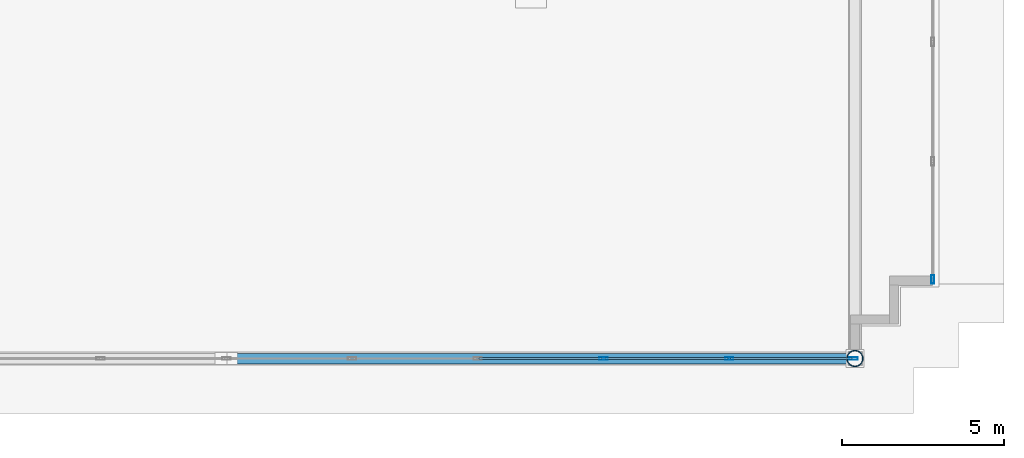
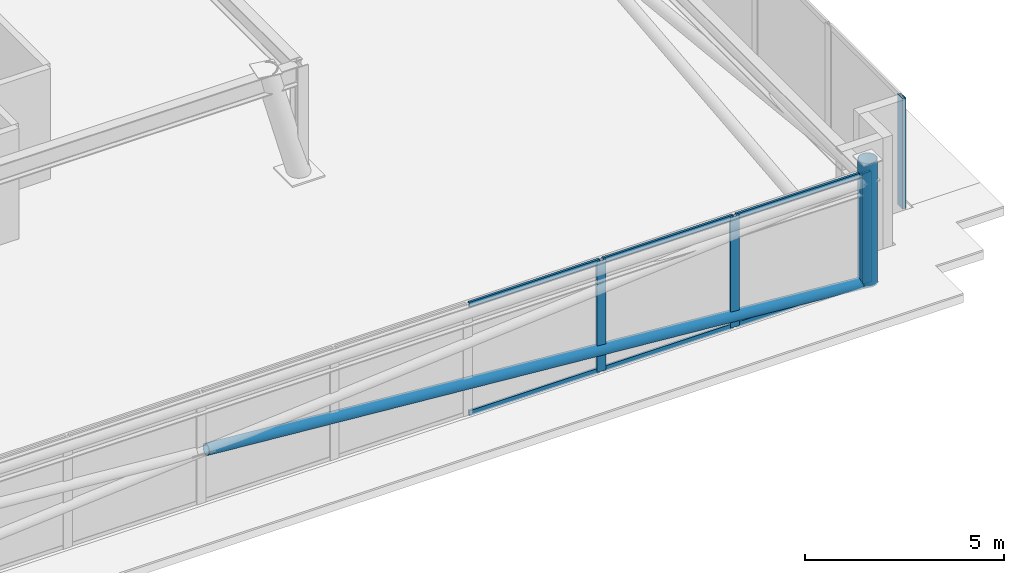
# One storey, part 14 of 23: 12 members, 2 elements without a shape of their own.
"""IFC4 building model written with IfcOpenShell, lengths in metres."""

import ifcopenshell
import ifcopenshell.guid

model = None  # the IFC model being written
_history = None  # IfcOwnerHistory: only IFC2X3 demands one
_inside = {}  # id of a spatial element -> (the spatial element, [elements in it])
_under = {}  # id of a project, library or spatial element -> (it, [spatial elements below it])
_declared = {}  # id of a project -> (the project, [libraries it declares])
_typed = {}  # id of a type object -> (the type object, [elements of that type])
_made_of = {}  # id of a material, layer set ... -> (it, [elements and type objects made of it])


def new_model(schema):
    """Start an empty IFC model of exactly this schema.

    Asked for "IFC4X3", IfcOpenShell would pick the latest addendum, in which some entities
    have other attributes; the version numbers below select the first issue.
    IFC2X3 requires an IfcOwnerHistory on every rooted entity: one is made here for all.
    """
    global model, _history
    if schema == "IFC4X3":
        model = ifcopenshell.file(schema_version=(4, 3, 0, 0))
    else:
        model = ifcopenshell.file(schema=schema)
    _inside.clear()
    _under.clear()
    _declared.clear()
    _typed.clear()
    _made_of.clear()
    _history = None
    if model.schema == "IFC2X3":
        org = make("IfcOrganization", Name="unknown")
        user = make(
            "IfcPersonAndOrganization",
            ThePerson=make("IfcPerson", FamilyName="unknown"),
            TheOrganization=org,
        )
        app = make(
            "IfcApplication",
            ApplicationDeveloper=org,
            Version="unknown",
            ApplicationFullName="unknown",
            ApplicationIdentifier="unknown",
        )
        _history = make(
            "IfcOwnerHistory",
            OwningUser=user,
            OwningApplication=app,
            ChangeAction="ADDED",
            CreationDate=0,
        )
    return model


def make(cls, **values):
    """One entity of the class cls with the attributes given. An attribute that is None is left unset."""
    return model.create_entity(
        cls, **{name: value for name, value in values.items() if value is not None}
    )


def rooted(cls, **values):
    """An entity with a GlobalId (a new one), such as an element, a storey or a relation."""
    return make(cls, GlobalId=ifcopenshell.guid.new(), OwnerHistory=_history, **values)


def si_unit(unit_type, name, prefix=None):
    """IfcSIUnit, for example si_unit("LENGTHUNIT", "METRE", prefix="MILLI")."""
    return make("IfcSIUnit", UnitType=unit_type, Prefix=prefix, Name=name)


def assignment(units):
    """IfcUnitAssignment: the units of a project."""
    return None if units is None else make("IfcUnitAssignment", Units=units)


def point(xyz):
    """IfcCartesianPoint."""
    return None if xyz is None else make("IfcCartesianPoint", Coordinates=xyz)


def direction(xyz):
    """IfcDirection."""
    return None if xyz is None else make("IfcDirection", DirectionRatios=xyz)


def frame(location, z_axis=None, x_axis=None):
    """IfcAxis2Placement3D, a coordinate frame: its origin and axes. An axis left out is left unset."""
    return make(
        "IfcAxis2Placement3D",
        Location=point(location),
        Axis=direction(z_axis),
        RefDirection=direction(x_axis),
    )


def frame_2d(location, x_axis=None):
    """IfcAxis2Placement2D, a coordinate frame in the plane: its origin and x axis."""
    return make(
        "IfcAxis2Placement2D", Location=point(location), RefDirection=direction(x_axis)
    )


def origin():
    """The frame at (0, 0, 0) with its axes left unset."""
    return frame((0.0, 0.0, 0.0))


def origin_2d():
    """The frame at (0, 0) in the plane with its x axis left unset."""
    return frame_2d((0.0, 0.0))


def place(relative_to, where):
    """IfcLocalPlacement: puts the frame where relative to a parent placement (None: the world)."""
    return make(
        "IfcLocalPlacement", PlacementRelTo=relative_to, RelativePlacement=where
    )


def context(
    kind, dimensions, precision=None, world=None, true_north=None, identifier=None
):
    """IfcGeometricRepresentationContext, for example the 3D "Model" context."""
    return make(
        "IfcGeometricRepresentationContext",
        ContextIdentifier=identifier,
        ContextType=kind,
        CoordinateSpaceDimension=dimensions,
        Precision=precision,
        WorldCoordinateSystem=world,
        TrueNorth=true_north,
    )


def subcontext(parent, identifier, kind, view, scale=None):
    """IfcGeometricRepresentationSubContext, for example "Body" below "Model"."""
    return make(
        "IfcGeometricRepresentationSubContext",
        ContextIdentifier=identifier,
        ContextType=kind,
        ParentContext=parent,
        TargetScale=scale,
        TargetView=view,
    )


def project(units=None, contexts=None):
    """IfcProject with its units and contexts."""
    return rooted(
        "IfcProject",
        Name="project",
        RepresentationContexts=contexts,
        UnitsInContext=assignment(units),
    )


def spatial(cls, under=None, at=None, **own):
    """A site, building, storey or space (cls), placed at a placement, below another one or the project."""
    s = rooted(cls, ObjectPlacement=at, **own)
    if under is not None:
        _under.setdefault(under.id(), (under, []))[1].append(s)
    return s


def profile(cls, at=None, kind="AREA", **sizes):
    """A parametric profile (cls). Its sizes go by their IFC names, for example OverallWidth=200.0."""
    return make(cls, ProfileType=kind, Position=at, **sizes)


def hollow_rectangle(**sizes):
    """IfcRectangleHollowProfileDef."""
    return profile("IfcRectangleHollowProfileDef", **sizes)


def hollow_circle(**sizes):
    """IfcCircleHollowProfileDef."""
    return profile("IfcCircleHollowProfileDef", **sizes)


def extrude(swept, where, along, depth):
    """IfcExtrudedAreaSolid: the profile swept, set in the frame where, extruded along a direction by depth."""
    return make(
        "IfcExtrudedAreaSolid",
        SweptArea=swept,
        Position=where,
        ExtrudedDirection=direction(along),
        Depth=depth,
    )


def shape(context_of_items, identifier, shape_type, items):
    """IfcShapeRepresentation: the items that make up one representation, for example the "Body"."""
    return make(
        "IfcShapeRepresentation",
        ContextOfItems=context_of_items,
        RepresentationIdentifier=identifier,
        RepresentationType=shape_type,
        Items=items,
    )


def material(Name=None, Category=None):
    """IfcMaterial."""
    return make("IfcMaterial", Name=Name, Category=Category)


def layer(
    of_material, thickness, ventilated=None, Name=None, Category=None, Priority=None
):
    """IfcMaterialLayer: one layer of a wall or slab, of a material (None: an air gap)."""
    return make(
        "IfcMaterialLayer",
        Material=of_material,
        LayerThickness=thickness,
        IsVentilated=ventilated,
        Name=Name,
        Category=Category,
        Priority=Priority,
    )


def layer_set(layers, Name=None):
    """IfcMaterialLayerSet."""
    return make("IfcMaterialLayerSet", MaterialLayers=layers, LayerSetName=Name)


def material_profile(
    of_material, cross_section, Name=None, Category=None, Priority=None
):
    """IfcMaterialProfile: a cross section and its material."""
    return make(
        "IfcMaterialProfile",
        Name=Name,
        Material=of_material,
        Profile=cross_section,
        Priority=Priority,
        Category=Category,
    )


def profile_set(profiles, Name=None, composite=None):
    """IfcMaterialProfileSet."""
    return make(
        "IfcMaterialProfileSet",
        Name=Name,
        MaterialProfiles=profiles,
        CompositeProfile=composite,
    )


def made_of(thing, what):
    """Note that an element or type object is made of a material, layer set ...; save() writes the relation."""
    if what is not None:
        _made_of.setdefault(what.id(), (what, []))[1].append(thing)
    return thing


def type_object(cls, material=None, **own):
    """A type object (cls), such as IfcWallType, which elements share."""
    return made_of(rooted(cls, **own), material)


def element(
    cls,
    number,
    at=None,
    inside=None,
    cuts=None,
    type_object=None,
    material=None,
    context=None,
    identifier="Body",
    shape_type=None,
    held_by="IfcProductDefinitionShape",
    body=None,
    shapes=None,
    **own,
):
    """One element of the class cls, such as IfcWall. Its Tag is "e" and its number.

    at: its placement. inside: the storey or other place that contains it. cuts: it is an
    opening in that element (IfcRelVoidsElement). A single representation is given by context,
    identifier, shape_type and body (its items); several are given by shapes. held_by: the class
    of the entity that holds the representations. save() writes the other relations.
    """
    e = rooted(cls, Tag="e%d" % number, ObjectPlacement=at, **own)
    if body is not None:
        shapes = [shape(context, identifier, shape_type, body)]
    if shapes is not None:
        e.Representation = make(held_by, Representations=shapes)
    if inside is not None:
        _inside.setdefault(inside.id(), (inside, []))[1].append(e)
    if cuts is not None:
        rooted(
            "IfcRelVoidsElement", RelatingBuildingElement=cuts, RelatedOpeningElement=e
        )
    if type_object is not None:
        _typed.setdefault(type_object.id(), (type_object, []))[1].append(e)
    return made_of(e, material)


def aggregate(whole, parts):
    """IfcRelAggregates: a whole, such as a stair, and the parts it consists of."""
    return rooted("IfcRelAggregates", RelatingObject=whole, RelatedObjects=parts)


def save(model, path):
    """Write the relations noted so far, then the file.

    IfcRelAggregates (storeys below a building ...), IfcRelContainedInSpatialStructure (elements
    in a storey), IfcRelDefinesByType, IfcRelAssociatesMaterial and IfcRelDeclares: one each for
    every whole, place, type object, material and project.
    """
    for whole, parts in _under.values():
        aggregate(whole, parts)
    for where, things in _inside.values():
        rooted(
            "IfcRelContainedInSpatialStructure",
            RelatedElements=things,
            RelatingStructure=where,
        )
    for kind, things in _typed.values():
        rooted("IfcRelDefinesByType", RelatedObjects=things, RelatingType=kind)
    for what, things in _made_of.values():
        rooted("IfcRelAssociatesMaterial", RelatedObjects=things, RelatingMaterial=what)
    for by, libraries in _declared.values():
        rooted("IfcRelDeclares", RelatingContext=by, RelatedDefinitions=libraries)
    model.write(path)


model = new_model("IFC4")

# Units and contexts
model_context = context("Model", 3, precision=1e-05, world=origin(), true_north=direction((0.0, 1.0)))
body_context = subcontext(model_context, "Body", "Model", "MODEL_VIEW")
ifc_project = project(units=[si_unit("LENGTHUNIT", "METRE"), si_unit("AREAUNIT", "SQUARE_METRE"), si_unit("VOLUMEUNIT", "CUBIC_METRE"), si_unit("PLANEANGLEUNIT", "RADIAN"), si_unit("MASSUNIT", "GRAM", prefix="KILO")], contexts=[model_context])

# Site, building, storey
site_placement = place(None, origin())
site = spatial("IfcSite", under=ifc_project, at=site_placement, CompositionType="ELEMENT")
building_placement = place(site_placement, origin())
building = spatial("IfcBuilding", under=site, at=building_placement, Name="Qobustan Lattice House", CompositionType="ELEMENT")
storey_placement = place(building_placement, frame((0.0, 0.0, 270.199951171875)))
storey = spatial("IfcBuildingStorey", under=building, at=storey_placement, Name="L76", CompositionType="ELEMENT", Elevation=270.199951171875)

# Curtain wall, member
ifc_material_1 = material(Name="Anodised aluminium and low-E glazing", Category="aluminium")
ifc_layer = layer(ifc_material_1, 0.219970703125)
ifc_layer_set = layer_set([ifc_layer], Name="Anodised aluminium and low-E glazing")
curtain_wall_type = type_object("IfcCurtainWallType", Name="CW-CRN-01", PredefinedType="USERDEFINED", material=ifc_layer_set)
curtain_wall_1_placement = place(storey_placement, origin())
curtain_wall_1 = element("IfcCurtainWall", 1, at=curtain_wall_1_placement, inside=storey, type_object=curtain_wall_type, Name="L76 glass-point crown faceted curtain wall 15", ObjectType="CURTAIN WALL", PredefinedType="USERDEFINED")
ifc_material_2 = material(Name="Anodised aluminium EN AW-6063 T6", Category="aluminium")
ifc_material_profile_1 = material_profile(ifc_material_2, hollow_rectangle(XDim=0.090087890625, YDim=0.260009765625, WallThickness=0.006103515625, at=origin_2d()), Name="CWM-CROWN-260x90")
ifc_profile_set_1 = profile_set([ifc_material_profile_1], Name="Anodised aluminium EN AW-6063 T6")
member_type_1 = type_object("IfcMemberType", Name="CWM-CRN-260", PredefinedType="MULLION", material=ifc_profile_set_1)
member_1_placement = place(storey_placement, frame((21.60009765625, -14.455078125, 0.0), z_axis=(0.0, 0.0, 1.0), x_axis=(1.0, 0.0, 0.0)))
member_1 = element("IfcMember", 2, at=member_1_placement, type_object=member_type_1, Name="CW-CR mullion 8", PredefinedType="MULLION", context=body_context, shape_type="SweptSolid", body=[
    extrude(hollow_rectangle(XDim=0.090087890625, YDim=0.260009765625, WallThickness=0.006103515625, at=origin_2d()), origin(), (0.0, 0.0, 1.0), 3.400146484375),
])
aggregate(curtain_wall_1, [member_1])

# Curtain wall, members
curtain_wall_2_placement = place(storey_placement, origin())
curtain_wall_2 = element("IfcCurtainWall", 3, at=curtain_wall_2_placement, inside=storey, type_object=curtain_wall_type, Name="L76 glass-point crown faceted curtain wall 20", ObjectType="CURTAIN WALL", PredefinedType="USERDEFINED")
member_2_placement = place(storey_placement, frame((19.155029296875, -16.89990234375, 0.0), z_axis=(0.0, 0.0, 1.0), x_axis=(0.0, -1.0, 0.0)))
member_2 = element("IfcMember", 4, at=member_2_placement, type_object=member_type_1, Name="CW-CR mullion 1", PredefinedType="MULLION", context=body_context, shape_type="SweptSolid", body=[
    extrude(hollow_rectangle(XDim=0.090087890625, YDim=0.260009765625, WallThickness=0.006103515625, at=origin_2d()), origin(), (0.0, 0.0, 1.0), 3.400146484375),
])
member_3_placement = place(storey_placement, frame((15.320068359375, -16.89990234375, 0.0), z_axis=(0.0, 0.0, 1.0), x_axis=(0.0, -1.0, 0.0)))
member_3 = element("IfcMember", 5, at=member_3_placement, type_object=member_type_1, Name="CW-CR mullion 2", PredefinedType="MULLION", context=body_context, shape_type="SweptSolid", body=[
    extrude(hollow_rectangle(XDim=0.090087890625, YDim=0.260009765625, WallThickness=0.006103515625, at=origin_2d()), origin(), (0.0, 0.0, 1.0), 3.400146484375),
])
member_4_placement = place(storey_placement, frame((11.43994140625, -16.89990234375, 0.0), z_axis=(0.0, 0.0, 1.0), x_axis=(0.0, -1.0, 0.0)))
member_4 = element("IfcMember", 6, at=member_4_placement, type_object=member_type_1, Name="CW-CR mullion 3", PredefinedType="MULLION", context=body_context, shape_type="SweptSolid", body=[
    extrude(hollow_rectangle(XDim=0.090087890625, YDim=0.260009765625, WallThickness=0.006103515625, at=origin_2d()), origin(), (0.0, 0.0, 1.0), 3.400146484375),
])
ifc_material_3 = material(Name="Anodised aluminium EN AW-6063 T6", Category="aluminium")
ifc_material_profile_2 = material_profile(ifc_material_3, hollow_rectangle(XDim=0.06494140625, YDim=0.159912109375, WallThickness=0.00390625, at=origin_2d()), Name="CWT-160x65")
ifc_profile_set_2 = profile_set([ifc_material_profile_2], Name="Anodised aluminium EN AW-6063 T6")
member_type_2 = type_object("IfcMemberType", Name="CWT-HOR-160", PredefinedType="USERDEFINED", material=ifc_profile_set_2)
member_5_placement = place(storey_placement, frame((19.110107421875, -16.89990234375, 0.032470703125), z_axis=(-1.0, 0.0, 0.0), x_axis=(0.0, -1.0, 0.0)))
member_5 = element("IfcMember", 7, at=member_5_placement, type_object=member_type_2, Name="CW-CR transom 1.1", ObjectType="TRANSOM", PredefinedType="USERDEFINED", context=body_context, shape_type="SweptSolid", body=[
    extrude(hollow_rectangle(XDim=0.06494140625, YDim=0.159912109375, WallThickness=0.00390625, at=origin_2d()), origin(), (0.0, 0.0, 1.0), 3.7451171875),
])
member_6_placement = place(storey_placement, frame((19.110107421875, -16.89990234375, 3.367431640625), z_axis=(-1.0, 0.0, 0.0), x_axis=(0.0, -1.0, 0.0)))
member_6 = element("IfcMember", 8, at=member_6_placement, type_object=member_type_2, Name="CW-CR transom 1.2", ObjectType="TRANSOM", PredefinedType="USERDEFINED", context=body_context, shape_type="SweptSolid", body=[
    extrude(hollow_rectangle(XDim=0.06494140625, YDim=0.159912109375, WallThickness=0.00390625, at=origin_2d()), origin(), (0.0, 0.0, 1.0), 3.7451171875),
])
member_7_placement = place(storey_placement, frame((15.27490234375, -16.89990234375, 0.032470703125), z_axis=(-1.0, 0.0, 0.0), x_axis=(0.0, -1.0, 0.0)))
member_7 = element("IfcMember", 9, at=member_7_placement, type_object=member_type_2, Name="CW-CR transom 2.1", ObjectType="TRANSOM", PredefinedType="USERDEFINED", context=body_context, shape_type="SweptSolid", body=[
    extrude(hollow_rectangle(XDim=0.06494140625, YDim=0.159912109375, WallThickness=0.00390625, at=origin_2d()), origin(), (0.0, 0.0, 1.0), 3.789794921875),
])
member_8_placement = place(storey_placement, frame((15.27490234375, -16.89990234375, 3.367431640625), z_axis=(-1.0, 0.0, 0.0), x_axis=(0.0, -1.0, 0.0)))
member_8 = element("IfcMember", 10, at=member_8_placement, type_object=member_type_2, Name="CW-CR transom 2.2", ObjectType="TRANSOM", PredefinedType="USERDEFINED", context=body_context, shape_type="SweptSolid", body=[
    extrude(hollow_rectangle(XDim=0.06494140625, YDim=0.159912109375, WallThickness=0.00390625, at=origin_2d()), origin(), (0.0, 0.0, 1.0), 3.789794921875),
])
member_9_placement = place(storey_placement, frame((11.39501953125, -16.89990234375, 0.032470703125), z_axis=(-1.0, 0.0, 0.0), x_axis=(0.0, -1.0, 0.0)))
member_9 = element("IfcMember", 11, at=member_9_placement, type_object=member_type_2, Name="CW-CR transom 3.1", ObjectType="TRANSOM", PredefinedType="USERDEFINED", context=body_context, shape_type="SweptSolid", body=[
    extrude(hollow_rectangle(XDim=0.06494140625, YDim=0.159912109375, WallThickness=0.00390625, at=origin_2d()), origin(), (0.0, 0.0, 1.0), 3.7900390625),
])
member_10_placement = place(storey_placement, frame((11.39501953125, -16.89990234375, 3.367431640625), z_axis=(-1.0, 0.0, 0.0), x_axis=(0.0, -1.0, 0.0)))
member_10 = element("IfcMember", 12, at=member_10_placement, type_object=member_type_2, Name="CW-CR transom 3.2", ObjectType="TRANSOM", PredefinedType="USERDEFINED", context=body_context, shape_type="SweptSolid", body=[
    extrude(hollow_rectangle(XDim=0.06494140625, YDim=0.159912109375, WallThickness=0.00390625, at=origin_2d()), origin(), (0.0, 0.0, 1.0), 3.7900390625),
])
aggregate(curtain_wall_2, [member_2, member_3, member_4, member_5, member_6, member_7, member_8, member_9, member_10])

# Members
ifc_material_4 = material(Name="Steel S355", Category="steel")
ifc_material_profile_3 = material_profile(ifc_material_4, hollow_circle(Radius=0.161865234375, WallThickness=0.012451171875, at=origin_2d()), Name="CHS323.9x12.5")
ifc_profile_set_3 = profile_set([ifc_material_profile_3], Name="Steel S355")
member_type_3 = type_object("IfcMemberType", Name="MEM-CBR-CHS324", PredefinedType="BRACE", material=ifc_profile_set_3)
member_11_placement = place(storey_placement, frame((19.199951171875, -16.89990234375, 0.01513671875), z_axis=(-0.996690538757, 0.0, 0.081289420916), x_axis=(0.0, -1.0, 0.0)))
element("IfcMember", 13, at=member_11_placement, inside=storey, type_object=member_type_3, Name="L76 crown diagrid split brace 1B lower", PredefinedType="BRACE", context=body_context, shape_type="SweptSolid", body=[
    extrude(hollow_circle(Radius=0.161865234375, WallThickness=0.012451171875, at=origin_2d()), origin(), (0.0, 0.0, 1.0), 19.296630859375),
])
ifc_material_5 = material(Name="Steel S355", Category="steel")
ifc_material_profile_4 = material_profile(ifc_material_5, hollow_circle(Radius=0.25390625, WallThickness=0.02001953125, at=origin_2d()), Name="CHS508x20")
ifc_profile_set_4 = profile_set([ifc_material_profile_4], Name="Steel S355")
member_type_4 = type_object("IfcMemberType", Name="MEM-STR-CHS508", PredefinedType="STRUT", material=ifc_profile_set_4)
member_12_placement = place(storey_placement, frame((19.199951171875, -16.89990234375, 0.0), z_axis=(0.0, 0.0, 1.0), x_axis=(1.0, 0.0, 0.0)))
element("IfcMember", 14, at=member_12_placement, inside=storey, type_object=member_type_4, Name="L76 crown corner raking strut 2", PredefinedType="STRUT", context=body_context, shape_type="SweptSolid", body=[
    extrude(hollow_circle(Radius=0.25390625, WallThickness=0.02001953125, at=origin_2d()), origin(), (0.0, 0.0, 1.0), 3.800048828125),
])

save(model, "model.ifc")
